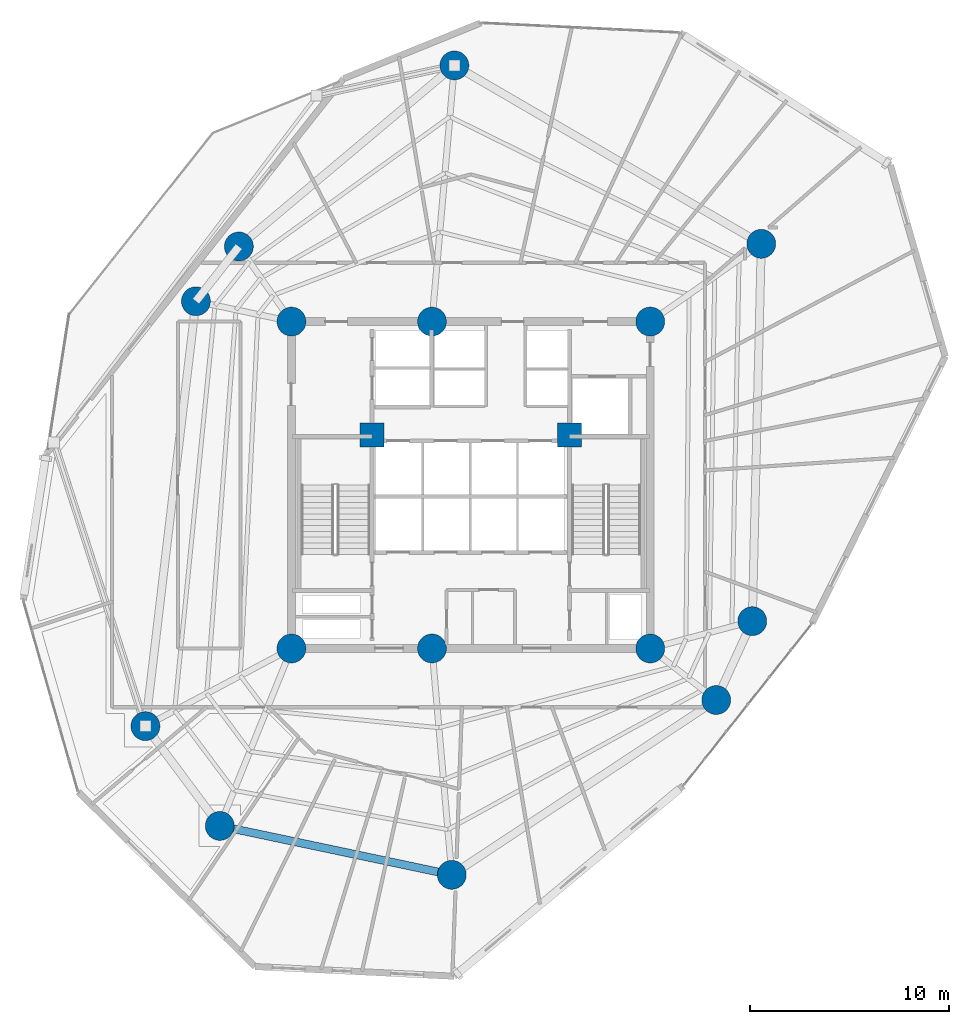
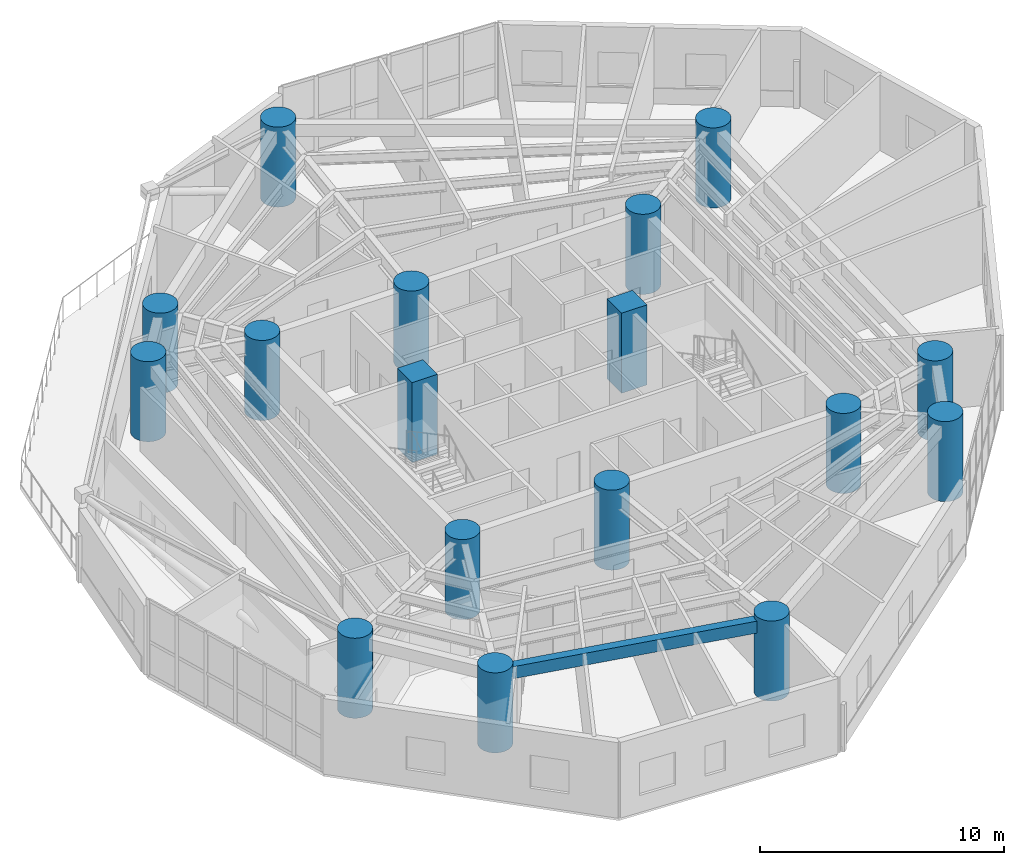
# One storey, part 1 of 14: 17 columns, 1 beam.
"""IFC4 building model written with IfcOpenShell, lengths in metres."""

from ifc_helpers import new_model, si_unit, direction, frame, origin, origin_with_axes, origin_2d, place, context, subcontext, project, spatial, rectangle, circle, extrude, source, transform, mapped, material, material_profile, profile_set, type_object, element, save


model = new_model("IFC4")

# Units and contexts
model_context = context("Model", 3, precision=1e-05, world=origin(), true_north=direction((0.0, 1.0)))
body_context = subcontext(model_context, "Body", "Model", "MODEL_VIEW")
ifc_project = project(units=[si_unit("LENGTHUNIT", "METRE"), si_unit("AREAUNIT", "SQUARE_METRE"), si_unit("VOLUMEUNIT", "CUBIC_METRE"), si_unit("PLANEANGLEUNIT", "RADIAN"), si_unit("MASSUNIT", "GRAM", prefix="KILO")], contexts=[model_context])

# Site, building, storey
site_placement = place(None, origin())
site = spatial("IfcSite", under=ifc_project, at=site_placement, CompositionType="ELEMENT")
building_placement = place(site_placement, origin())
building = spatial("IfcBuilding", under=site, at=building_placement, Name="Karkom Vertical University and Central Library", CompositionType="ELEMENT")
storey_placement = place(building_placement, frame((0.0, 0.0, 92.199951171875)))
storey = spatial("IfcBuildingStorey", under=building, at=storey_placement, Name="L24", CompositionType="ELEMENT", Elevation=92.199951171875)

# Columns
ifc_material_1 = material(Name="Concrete C50/60", Category="concrete")
ifc_material_profile_1 = material_profile(ifc_material_1, rectangle(XDim=1.199951171875, YDim=1.199951171875, at=origin_2d()), Name="RC-1200x1200")
ifc_profile_set_1 = profile_set([ifc_material_profile_1], Name="Concrete C50/60")
column_type_1 = type_object("IfcColumnType", Name="STR-COL-C-CC1", PredefinedType="COLUMN", material=ifc_profile_set_1)
shared_shape_1 = source(origin_with_axes(), body_context, "Body", "SweptSolid", [
    extrude(rectangle(XDim=1.199951171875, YDim=1.199951171875, at=origin_2d()), origin(), (0.0, 0.0, 1.0), 4.0),
])
for number, where, z_axis, x_axis, name in (
    (1, (23.550048828125, 29.0, 0.0), (0.0, 0.0, 1.0), (1.0, 0.0, 0.0), "Level 24 Core Node Column CC-1"),
    (2, (33.449951171875, 29.0, 0.0), (0.0, 0.0, 1.0), (1.0, 0.0, 0.0), "Level 24 Core Node Column CC-2"),
):
    element("IfcColumn", number, at=place(storey_placement, frame(where, z_axis=z_axis, x_axis=x_axis)), inside=storey, type_object=column_type_1, Name=name, PredefinedType="COLUMN", context=body_context, shape_type="MappedRepresentation", body=[
        mapped(shared_shape_1, transform((0.0, 0.0, 0.0), scale=1.0)),
    ])
ifc_material_profile_2 = material_profile(ifc_material_1, circle(Radius=0.72509765625, at=origin_2d()), Name="CFT-D1450")
ifc_profile_set_2 = profile_set([ifc_material_profile_2], Name="Concrete C50/60")
column_type_2 = type_object("IfcColumnType", Name="STR-COL-C-SC3", PredefinedType="COLUMN", material=ifc_profile_set_2)
shared_shape_2 = source(origin_with_axes(), body_context, "Body", "SweptSolid", [
    extrude(circle(Radius=0.72509765625, at=origin_2d()), origin(), (0.0, 0.0, 1.0), 4.0),
])
for number, where, z_axis, x_axis, name in (
    (3, (19.5, 18.300048828125, 0.0), (0.0, 0.0, 1.0), (1.0, 0.0, 0.0), "Level 24 Spine Mega-Column SC-1"),
    (4, (26.550048828125, 18.300048828125, 0.0), (0.0, 0.0, 1.0), (1.0, 0.0, 0.0), "Level 24 Spine Mega-Column SC-2"),
    (5, (37.5, 18.300048828125, 0.0), (0.0, 0.0, 1.0), (1.0, 0.0, 0.0), "Level 24 Spine Mega-Column SC-3"),
    (6, (19.5, 34.699951171875, 0.0), (0.0, 0.0, 1.0), (1.0, 0.0, 0.0), "Level 24 Spine Mega-Column SC-4"),
    (7, (26.550048828125, 34.699951171875, 0.0), (0.0, 0.0, 1.0), (1.0, 0.0, 0.0), "Level 24 Spine Mega-Column SC-5"),
    (8, (37.5, 34.699951171875, 0.0), (0.0, 0.0, 1.0), (1.0, 0.0, 0.0), "Level 24 Spine Mega-Column SC-6"),
    (9, (42.618896484375, 19.672119140625, 0.0), (0.0, 0.0, 1.0), (1.0, 0.0, 0.0), "Level 24 Perimeter Mega-Column Z2-PC1"),
    (10, (43.070068359375, 38.60009765625, 0.0), (0.0, 0.0, 1.0), (1.0, 0.0, 0.0), "Level 24 Perimeter Mega-Column Z2-PC2"),
    (11, (27.674072265625, 47.551025390625, 0.0), (0.0, 0.0, 1.0), (1.0, 0.0, 0.0), "Level 24 Perimeter Mega-Column Z2-PC3"),
    (12, (16.862060546875, 38.468017578125, 0.0), (0.0, 0.0, 1.0), (1.0, 0.0, 0.0), "Level 24 Perimeter Mega-Column Z2-PC4"),
    (13, (14.70703125, 35.718994140625, 0.0), (0.0, 0.0, 1.0), (1.0, 0.0, 0.0), "Level 24 Perimeter Mega-Column Z2-PC5"),
    (14, (12.172119140625, 14.403076171875, 0.0), (0.0, 0.0, 1.0), (1.0, 0.0, 0.0), "Level 24 Perimeter Mega-Column Z2-PC6"),
    (15, (15.904052734375, 9.39892578125, 0.0), (0.0, 0.0, 1.0), (1.0, 0.0, 0.0), "Level 24 Perimeter Mega-Column Z2-PC7"),
    (16, (27.5439453125, 6.943115234375, 0.0), (0.0, 0.0, 1.0), (1.0, 0.0, 0.0), "Level 24 Perimeter Mega-Column Z2-PC8"),
    (17, (40.81005859375, 15.714111328125, 0.0), (0.0, 0.0, 1.0), (1.0, 0.0, 0.0), "Level 24 Perimeter Mega-Column Z2-PC9"),
):
    element("IfcColumn", number, at=place(storey_placement, frame(where, z_axis=z_axis, x_axis=x_axis)), inside=storey, type_object=column_type_2, Name=name, PredefinedType="COLUMN", context=body_context, shape_type="MappedRepresentation", body=[
        mapped(shared_shape_2, transform((0.0, 0.0, 0.0), scale=1.0)),
    ])

# Beam
ifc_material_2 = material(Name="Precast concrete C45/55", Category="concrete")
ifc_material_profile_3 = material_profile(ifc_material_2, rectangle(XDim=0.39990234375, YDim=0.60009765625, at=origin_2d()), Name="SPB-400x600")
ifc_profile_set_3 = profile_set([ifc_material_profile_3], Name="Precast concrete C45/55")
beam_type = type_object("IfcBeamType", Name="STR-BM-SP-1", PredefinedType="SPANDREL", material=ifc_profile_set_3)
shared_shape_3 = source(origin_with_axes(), body_context, "Body", "SweptSolid", [
    extrude(rectangle(XDim=0.39990234375, YDim=0.60009765625, at=origin_2d()), origin(), (0.0, 0.0, 1.0), 11.896240234375),
])
beam_placement = place(storey_placement, frame((15.904052734375, 9.39892578125, 3.47509765625), z_axis=(0.978459762135, -0.206437627101, 0.0), x_axis=(0.206437627101, 0.978459762135, 0.0)))
element("IfcBeam", 18, at=beam_placement, inside=storey, type_object=beam_type, Name="Level 24 Perimeter Spandrel Beam 07", PredefinedType="SPANDREL", context=body_context, shape_type="MappedRepresentation", body=[
    mapped(shared_shape_3, transform((0.0, 0.0, 0.0), scale=1.0)),
])

save(model, "model.ifc")
